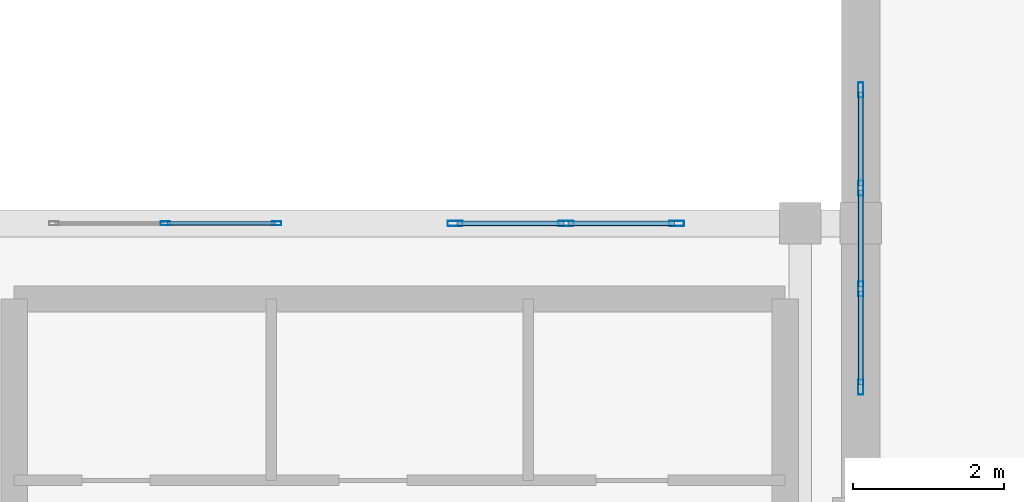
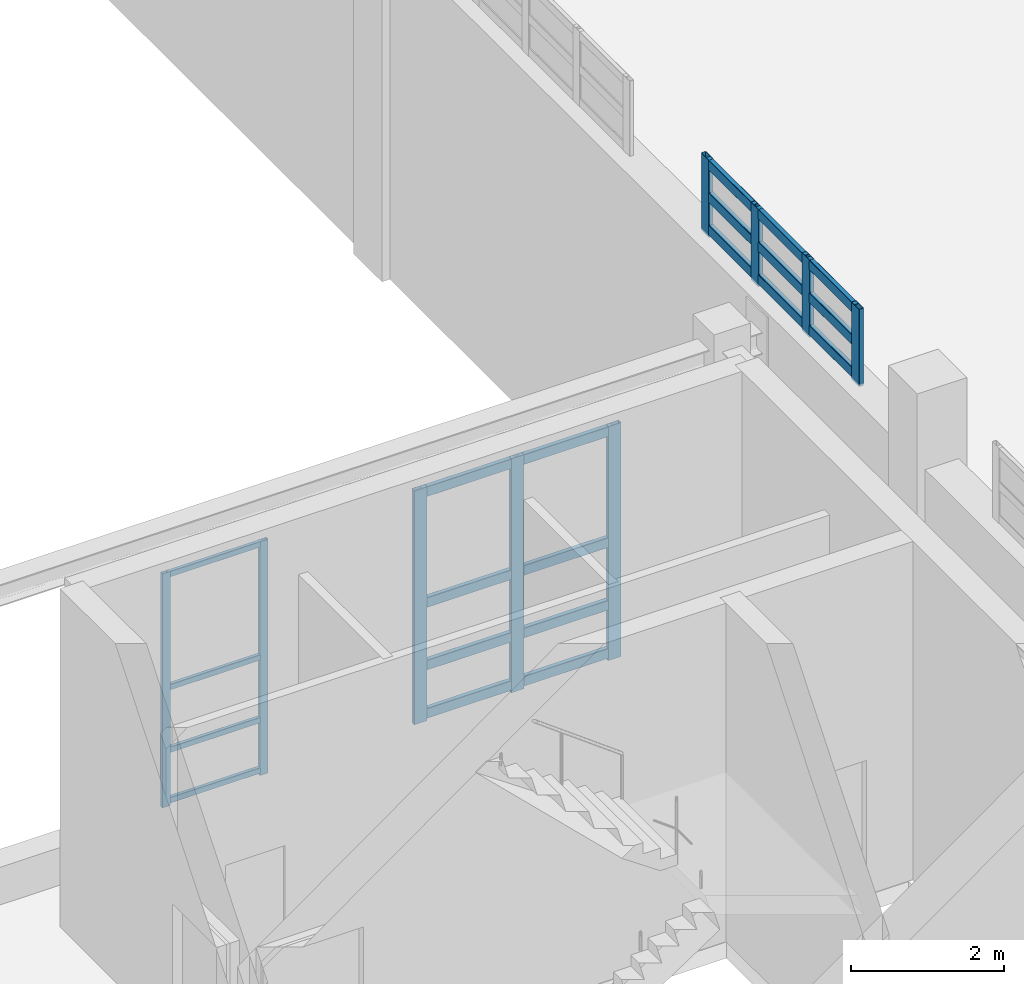
# One storey, part 134 of 197: 30 members, 3 elements without a shape of their own.
"""IFC4 building model written with IfcOpenShell, lengths in metres."""

from ifc_helpers import new_model, si_unit, derived_unit, direction, frame, origin, origin_2d, place, context, subcontext, project, spatial, hollow_rectangle, extrude, material, layer, layer_set, material_profile, profile_set, type_object, element, aggregate, save


model = new_model("IFC4")

# Units and contexts
model_context = context("Model", 3, precision=1e-05, world=origin(), true_north=direction((0.0, 1.0)))
body_context = subcontext(model_context, "Body", "Model", "MODEL_VIEW")
ifc_project = project(units=[si_unit("LENGTHUNIT", "METRE"), si_unit("AREAUNIT", "SQUARE_METRE"), si_unit("VOLUMEUNIT", "CUBIC_METRE"), si_unit("PLANEANGLEUNIT", "RADIAN"), si_unit("MASSUNIT", "GRAM", prefix="KILO"), derived_unit("THERMALTRANSMITTANCEUNIT", [(si_unit("POWERUNIT", "WATT"), 1), (si_unit("LENGTHUNIT", "METRE"), -2), (si_unit("THERMODYNAMICTEMPERATUREUNIT", "KELVIN"), -1)])], contexts=[model_context])

# Site, building, storey
site_placement = place(None, origin())
site = spatial("IfcSite", under=ifc_project, at=site_placement, CompositionType="ELEMENT")
building_placement = place(site_placement, origin())
building = spatial("IfcBuilding", under=site, at=building_placement, Name="Almenara Railside Exhibition Hall", CompositionType="ELEMENT")
storey_placement = place(building_placement, frame((0.0, 0.0, 5.39990234375)))
storey = spatial("IfcBuildingStorey", under=building, at=storey_placement, Name="L01", CompositionType="ELEMENT", Elevation=5.39990234375)

# Curtain wall, members
ifc_material_1 = material(Name="Bronze-anodised aluminium and low-E double glazing", Category="aluminium")
ifc_layer_1 = layer(ifc_material_1, 0.179931640625, Name="Bronze-anodised aluminium and low-E double glazing")
ifc_layer_set_1 = layer_set([ifc_layer_1], Name="Bronze-anodised aluminium and low-E double glazing")
curtain_wall_type_1 = type_object("IfcCurtainWallType", Name="Courtyard North Galeria Curtain Wall 3000x3700", PredefinedType="NOTDEFINED", material=ifc_layer_set_1)
curtain_wall_1_placement = place(storey_placement, origin())
curtain_wall_1 = element("IfcCurtainWall", 1, at=curtain_wall_1_placement, inside=storey, type_object=curtain_wall_type_1, Name="Curtain wall CW-CY1-142", PredefinedType="NOTDEFINED")
ifc_material_2 = material(Name="Bronze-anodised aluminium", Category="aluminium")
ifc_material_profile_1 = material_profile(ifc_material_2, hollow_rectangle(XDim=0.054931640625, YDim=0.125, WallThickness=0.0029296875, InnerFilletRadius=0.0029296875, OuterFilletRadius=0.006103515625, at=origin_2d()), Name="ALU-MUL 55x125x3")
ifc_profile_set_1 = profile_set([ifc_material_profile_1], Name="Bronze-anodised aluminium")
member_type_1 = type_object("IfcMemberType", Name="Curtain Wall Mullion 55x125x3", PredefinedType="MULLION", material=ifc_profile_set_1)
member_1_placement = place(storey_placement, frame((128.800048828125, 108.0, 0.565185546875), z_axis=(0.0, 0.0, 1.0), x_axis=(0.0, 1.0, 0.0)))
member_1 = element("IfcMember", 2, at=member_1_placement, type_object=member_type_1, Name="CW-CY1-142 mullion 2", PredefinedType="MULLION", context=body_context, shape_type="SweptSolid", body=[
    extrude(hollow_rectangle(XDim=0.054931640625, YDim=0.125, WallThickness=0.0029296875, InnerFilletRadius=0.0029296875, OuterFilletRadius=0.006103515625, at=origin_2d()), origin(), (0.0, 0.0, 1.0), 3.73486328125),
])
member_2_placement = place(storey_placement, frame((130.2724609375, 108.0, 0.565185546875), z_axis=(0.0, 0.0, 1.0), x_axis=(0.0, 1.0, 0.0)))
member_2 = element("IfcMember", 3, at=member_2_placement, type_object=member_type_1, Name="CW-CY1-142 mullion 3", PredefinedType="MULLION", context=body_context, shape_type="SweptSolid", body=[
    extrude(hollow_rectangle(XDim=0.054931640625, YDim=0.125, WallThickness=0.0029296875, InnerFilletRadius=0.0029296875, OuterFilletRadius=0.006103515625, at=origin_2d()), origin(), (0.0, 0.0, 1.0), 3.73486328125),
])

ifc_layer_2 = layer(ifc_material_1, 0.179931640625, Name="Bronze-anodised aluminium and low-E double glazing")
ifc_layer_set_2 = layer_set([ifc_layer_2], Name="Bronze-anodised aluminium and low-E double glazing")
curtain_wall_type_2 = type_object("IfcCurtainWallType", Name="East Hall Clerestory Curtain Wall 4000x2100", PredefinedType="NOTDEFINED", material=ifc_layer_set_2)
curtain_wall_2_placement = place(storey_placement, origin())
curtain_wall_2 = element("IfcCurtainWall", 4, at=curtain_wall_2_placement, inside=storey, type_object=curtain_wall_type_2, Name="Curtain wall CW-CL4-071", PredefinedType="NOTDEFINED")
ifc_material_profile_2 = material_profile(ifc_material_2, hollow_rectangle(XDim=0.070068359375, YDim=0.199951171875, WallThickness=0.00439453125, InnerFilletRadius=0.00439453125, OuterFilletRadius=0.009033203125, at=origin_2d()), Name="ALU-MUL 70x200x4.5")
ifc_profile_set_2 = profile_set([ifc_material_profile_2], Name="Bronze-anodised aluminium")
member_type_2 = type_object("IfcMemberType", Name="Curtain Wall Mullion 70x200x4.5", PredefinedType="MULLION", material=ifc_profile_set_2)
member_3_placement = place(storey_placement, frame((138.0, 105.8349609375, 5.4150390625), z_axis=(0.0, 0.0, 1.0), x_axis=(-1.0, 0.0, 0.0)))
member_3 = element("IfcMember", 5, at=member_3_placement, type_object=member_type_2, Name="CW-CL4-071 mullion 1", PredefinedType="MULLION", context=body_context, shape_type="SweptSolid", body=[
    extrude(hollow_rectangle(XDim=0.070068359375, YDim=0.199951171875, WallThickness=0.00439453125, InnerFilletRadius=0.00439453125, OuterFilletRadius=0.009033203125, at=origin_2d()), origin(), (0.0, 0.0, 1.0), 1.235107421875),
])
member_4_placement = place(storey_placement, frame((138.0, 107.13330078125, 5.4150390625), z_axis=(0.0, 0.0, 1.0), x_axis=(-1.0, 0.0, 0.0)))
member_4 = element("IfcMember", 6, at=member_4_placement, type_object=member_type_2, Name="CW-CL4-071 mullion 2", PredefinedType="MULLION", context=body_context, shape_type="SweptSolid", body=[
    extrude(hollow_rectangle(XDim=0.070068359375, YDim=0.199951171875, WallThickness=0.00439453125, InnerFilletRadius=0.00439453125, OuterFilletRadius=0.009033203125, at=origin_2d()), origin(), (0.0, 0.0, 1.0), 1.235107421875),
])
member_5_placement = place(storey_placement, frame((138.0, 108.466552734375, 5.4150390625), z_axis=(0.0, 0.0, 1.0), x_axis=(-1.0, 0.0, 0.0)))
member_5 = element("IfcMember", 7, at=member_5_placement, type_object=member_type_2, Name="CW-CL4-071 mullion 3", PredefinedType="MULLION", context=body_context, shape_type="SweptSolid", body=[
    extrude(hollow_rectangle(XDim=0.070068359375, YDim=0.199951171875, WallThickness=0.00439453125, InnerFilletRadius=0.00439453125, OuterFilletRadius=0.009033203125, at=origin_2d()), origin(), (0.0, 0.0, 1.0), 1.235107421875),
])
member_6_placement = place(storey_placement, frame((138.0, 109.764892578125, 5.4150390625), z_axis=(0.0, 0.0, 1.0), x_axis=(-1.0, 0.0, 0.0)))
member_6 = element("IfcMember", 8, at=member_6_placement, type_object=member_type_2, Name="CW-CL4-071 mullion 4", PredefinedType="MULLION", context=body_context, shape_type="SweptSolid", body=[
    extrude(hollow_rectangle(XDim=0.070068359375, YDim=0.199951171875, WallThickness=0.00439453125, InnerFilletRadius=0.00439453125, OuterFilletRadius=0.009033203125, at=origin_2d()), origin(), (0.0, 0.0, 1.0), 1.235107421875),
])

curtain_wall_3_placement = place(storey_placement, origin())
curtain_wall_3 = element("IfcCurtainWall", 9, at=curtain_wall_3_placement, inside=storey, type_object=curtain_wall_type_1, Name="Curtain wall CW-CY1-143", PredefinedType="NOTDEFINED")
member_7_placement = place(storey_placement, frame((132.635009765625, 108.0, 0.565185546875), z_axis=(0.0, 0.0, 1.0), x_axis=(0.0, 1.0, 0.0)))
member_7 = element("IfcMember", 10, at=member_7_placement, type_object=member_type_2, Name="CW-CY1-143 mullion 1", PredefinedType="MULLION", context=body_context, shape_type="SweptSolid", body=[
    extrude(hollow_rectangle(XDim=0.070068359375, YDim=0.199951171875, WallThickness=0.00439453125, InnerFilletRadius=0.00439453125, OuterFilletRadius=0.009033203125, at=origin_2d()), origin(), (0.0, 0.0, 1.0), 3.73486328125),
])
member_8_placement = place(storey_placement, frame((134.10009765625, 108.0, 0.565185546875), z_axis=(0.0, 0.0, 1.0), x_axis=(0.0, 1.0, 0.0)))
member_8 = element("IfcMember", 11, at=member_8_placement, type_object=member_type_2, Name="CW-CY1-143 mullion 2", PredefinedType="MULLION", context=body_context, shape_type="SweptSolid", body=[
    extrude(hollow_rectangle(XDim=0.070068359375, YDim=0.199951171875, WallThickness=0.00439453125, InnerFilletRadius=0.00439453125, OuterFilletRadius=0.009033203125, at=origin_2d()), origin(), (0.0, 0.0, 1.0), 3.73486328125),
])
member_9_placement = place(storey_placement, frame((135.56494140625, 108.0, 0.565185546875), z_axis=(0.0, 0.0, 1.0), x_axis=(0.0, 1.0, 0.0)))
member_9 = element("IfcMember", 12, at=member_9_placement, type_object=member_type_2, Name="CW-CY1-143 mullion 3", PredefinedType="MULLION", context=body_context, shape_type="SweptSolid", body=[
    extrude(hollow_rectangle(XDim=0.070068359375, YDim=0.199951171875, WallThickness=0.00439453125, InnerFilletRadius=0.00439453125, OuterFilletRadius=0.009033203125, at=origin_2d()), origin(), (0.0, 0.0, 1.0), 3.73486328125),
])

# Member
ifc_material_profile_3 = material_profile(ifc_material_2, hollow_rectangle(XDim=0.054931640625, YDim=0.090087890625, WallThickness=0.0029296875, InnerFilletRadius=0.0029296875, OuterFilletRadius=0.006103515625, at=origin_2d()), Name="ALU-TRN 55x90x3")
ifc_profile_set_3 = profile_set([ifc_material_profile_3], Name="Bronze-anodised aluminium")
member_type_3 = type_object("IfcMemberType", Name="Curtain Wall Transom 55x90x3", PredefinedType="USERDEFINED", material=ifc_profile_set_3)
member_10_placement = place(storey_placement, frame((128.819580078125, 108.0, 0.64501953125), z_axis=(1.0, 0.0, 0.0), x_axis=(0.0, 1.0, 0.0)))
member_10 = element("IfcMember", 13, at=member_10_placement, type_object=member_type_3, Name="CW-CY1-142 transom 2.1", ObjectType="TRANSOM", PredefinedType="USERDEFINED", context=body_context, shape_type="SweptSolid", body=[
    extrude(hollow_rectangle(XDim=0.054931640625, YDim=0.090087890625, WallThickness=0.0029296875, InnerFilletRadius=0.0029296875, OuterFilletRadius=0.006103515625, at=origin_2d()), origin(), (0.0, 0.0, 1.0), 1.433349609375),
])

member_11_placement = place(storey_placement, frame((128.819580078125, 108.0, 1.4501953125), z_axis=(1.0, 0.0, 0.0), x_axis=(0.0, 1.0, 0.0)))
member_11 = element("IfcMember", 14, at=member_11_placement, type_object=member_type_3, Name="CW-CY1-142 transom 2.2", ObjectType="TRANSOM", PredefinedType="USERDEFINED", context=body_context, shape_type="SweptSolid", body=[
    extrude(hollow_rectangle(XDim=0.054931640625, YDim=0.090087890625, WallThickness=0.0029296875, InnerFilletRadius=0.0029296875, OuterFilletRadius=0.006103515625, at=origin_2d()), origin(), (0.0, 0.0, 1.0), 1.433349609375),
])

member_12_placement = place(storey_placement, frame((128.819580078125, 108.0, 2.4501953125), z_axis=(1.0, 0.0, 0.0), x_axis=(0.0, 1.0, 0.0)))
member_12 = element("IfcMember", 15, at=member_12_placement, type_object=member_type_3, Name="CW-CY1-142 transom 2.3", ObjectType="TRANSOM", PredefinedType="USERDEFINED", context=body_context, shape_type="SweptSolid", body=[
    extrude(hollow_rectangle(XDim=0.054931640625, YDim=0.090087890625, WallThickness=0.0029296875, InnerFilletRadius=0.0029296875, OuterFilletRadius=0.006103515625, at=origin_2d()), origin(), (0.0, 0.0, 1.0), 1.433349609375),
])

member_13_placement = place(storey_placement, frame((128.819580078125, 108.0, 4.255126953125), z_axis=(1.0, 0.0, 0.0), x_axis=(0.0, 1.0, 0.0)))
member_13 = element("IfcMember", 16, at=member_13_placement, type_object=member_type_3, Name="CW-CY1-142 transom 2.4", ObjectType="TRANSOM", PredefinedType="USERDEFINED", context=body_context, shape_type="SweptSolid", body=[
    extrude(hollow_rectangle(XDim=0.054931640625, YDim=0.090087890625, WallThickness=0.0029296875, InnerFilletRadius=0.0029296875, OuterFilletRadius=0.006103515625, at=origin_2d()), origin(), (0.0, 0.0, 1.0), 1.433349609375),
])

aggregate(curtain_wall_1, [member_1, member_2, member_10, member_11, member_12, member_13])

ifc_material_profile_4 = material_profile(ifc_material_2, hollow_rectangle(XDim=0.070068359375, YDim=0.159912109375, WallThickness=0.00390625, InnerFilletRadius=0.00390625, OuterFilletRadius=0.008056640625, at=origin_2d()), Name="ALU-TRN 70x160x4")
ifc_profile_set_4 = profile_set([ifc_material_profile_4], Name="Bronze-anodised aluminium")
member_type_4 = type_object("IfcMemberType", Name="Curtain Wall Transom 70x160x4", PredefinedType="USERDEFINED", material=ifc_profile_set_4)
member_14_placement = place(storey_placement, frame((138.0, 105.862060546875, 5.530029296875), z_axis=(0.0, 1.0, 0.0), x_axis=(-1.0, 0.0, 0.0)))
member_14 = element("IfcMember", 17, at=member_14_placement, type_object=member_type_4, Name="CW-CL4-071 transom 1.1", ObjectType="TRANSOM", PredefinedType="USERDEFINED", context=body_context, shape_type="SweptSolid", body=[
    extrude(hollow_rectangle(XDim=0.070068359375, YDim=0.159912109375, WallThickness=0.00390625, InnerFilletRadius=0.00390625, OuterFilletRadius=0.008056640625, at=origin_2d()), origin(), (0.0, 0.0, 1.0), 1.244384765625),
])

member_15_placement = place(storey_placement, frame((138.0, 105.862060546875, 6.050048828125), z_axis=(0.0, 1.0, 0.0), x_axis=(-1.0, 0.0, 0.0)))
member_15 = element("IfcMember", 18, at=member_15_placement, type_object=member_type_4, Name="CW-CL4-071 transom 1.2", ObjectType="TRANSOM", PredefinedType="USERDEFINED", context=body_context, shape_type="SweptSolid", body=[
    extrude(hollow_rectangle(XDim=0.070068359375, YDim=0.159912109375, WallThickness=0.00390625, InnerFilletRadius=0.00390625, OuterFilletRadius=0.008056640625, at=origin_2d()), origin(), (0.0, 0.0, 1.0), 1.244384765625),
])

member_16_placement = place(storey_placement, frame((138.0, 105.862060546875, 6.570068359375), z_axis=(0.0, 1.0, 0.0), x_axis=(-1.0, 0.0, 0.0)))
member_16 = element("IfcMember", 19, at=member_16_placement, type_object=member_type_4, Name="CW-CL4-071 transom 1.3", ObjectType="TRANSOM", PredefinedType="USERDEFINED", context=body_context, shape_type="SweptSolid", body=[
    extrude(hollow_rectangle(XDim=0.070068359375, YDim=0.159912109375, WallThickness=0.00390625, InnerFilletRadius=0.00390625, OuterFilletRadius=0.008056640625, at=origin_2d()), origin(), (0.0, 0.0, 1.0), 1.244384765625),
])

member_17_placement = place(storey_placement, frame((138.0, 107.160400390625, 5.530029296875), z_axis=(0.0, 1.0, 0.0), x_axis=(-1.0, 0.0, 0.0)))
member_17 = element("IfcMember", 20, at=member_17_placement, type_object=member_type_4, Name="CW-CL4-071 transom 2.1", ObjectType="TRANSOM", PredefinedType="USERDEFINED", context=body_context, shape_type="SweptSolid", body=[
    extrude(hollow_rectangle(XDim=0.070068359375, YDim=0.159912109375, WallThickness=0.00390625, InnerFilletRadius=0.00390625, OuterFilletRadius=0.008056640625, at=origin_2d()), origin(), (0.0, 0.0, 1.0), 1.279296875),
])

member_18_placement = place(storey_placement, frame((138.0, 107.160400390625, 6.050048828125), z_axis=(0.0, 1.0, 0.0), x_axis=(-1.0, 0.0, 0.0)))
member_18 = element("IfcMember", 21, at=member_18_placement, type_object=member_type_4, Name="CW-CL4-071 transom 2.2", ObjectType="TRANSOM", PredefinedType="USERDEFINED", context=body_context, shape_type="SweptSolid", body=[
    extrude(hollow_rectangle(XDim=0.070068359375, YDim=0.159912109375, WallThickness=0.00390625, InnerFilletRadius=0.00390625, OuterFilletRadius=0.008056640625, at=origin_2d()), origin(), (0.0, 0.0, 1.0), 1.279296875),
])

member_19_placement = place(storey_placement, frame((138.0, 107.160400390625, 6.570068359375), z_axis=(0.0, 1.0, 0.0), x_axis=(-1.0, 0.0, 0.0)))
member_19 = element("IfcMember", 22, at=member_19_placement, type_object=member_type_4, Name="CW-CL4-071 transom 2.3", ObjectType="TRANSOM", PredefinedType="USERDEFINED", context=body_context, shape_type="SweptSolid", body=[
    extrude(hollow_rectangle(XDim=0.070068359375, YDim=0.159912109375, WallThickness=0.00390625, InnerFilletRadius=0.00390625, OuterFilletRadius=0.008056640625, at=origin_2d()), origin(), (0.0, 0.0, 1.0), 1.279296875),
])

member_20_placement = place(storey_placement, frame((138.0, 108.49365234375, 5.530029296875), z_axis=(0.0, 1.0, 0.0), x_axis=(-1.0, 0.0, 0.0)))
member_20 = element("IfcMember", 23, at=member_20_placement, type_object=member_type_4, Name="CW-CL4-071 transom 3.1", ObjectType="TRANSOM", PredefinedType="USERDEFINED", context=body_context, shape_type="SweptSolid", body=[
    extrude(hollow_rectangle(XDim=0.070068359375, YDim=0.159912109375, WallThickness=0.00390625, InnerFilletRadius=0.00390625, OuterFilletRadius=0.008056640625, at=origin_2d()), origin(), (0.0, 0.0, 1.0), 1.244384765625),
])

member_21_placement = place(storey_placement, frame((138.0, 108.49365234375, 6.050048828125), z_axis=(0.0, 1.0, 0.0), x_axis=(-1.0, 0.0, 0.0)))
member_21 = element("IfcMember", 24, at=member_21_placement, type_object=member_type_4, Name="CW-CL4-071 transom 3.2", ObjectType="TRANSOM", PredefinedType="USERDEFINED", context=body_context, shape_type="SweptSolid", body=[
    extrude(hollow_rectangle(XDim=0.070068359375, YDim=0.159912109375, WallThickness=0.00390625, InnerFilletRadius=0.00390625, OuterFilletRadius=0.008056640625, at=origin_2d()), origin(), (0.0, 0.0, 1.0), 1.244384765625),
])

member_22_placement = place(storey_placement, frame((138.0, 108.49365234375, 6.570068359375), z_axis=(0.0, 1.0, 0.0), x_axis=(-1.0, 0.0, 0.0)))
member_22 = element("IfcMember", 25, at=member_22_placement, type_object=member_type_4, Name="CW-CL4-071 transom 3.3", ObjectType="TRANSOM", PredefinedType="USERDEFINED", context=body_context, shape_type="SweptSolid", body=[
    extrude(hollow_rectangle(XDim=0.070068359375, YDim=0.159912109375, WallThickness=0.00390625, InnerFilletRadius=0.00390625, OuterFilletRadius=0.008056640625, at=origin_2d()), origin(), (0.0, 0.0, 1.0), 1.244384765625),
])

aggregate(curtain_wall_2, [member_3, member_4, member_5, member_6, member_14, member_15, member_16, member_17, member_18, member_19, member_20, member_21, member_22])

member_23_placement = place(storey_placement, frame((132.662109375, 108.0, 0.68017578125), z_axis=(1.0, 0.0, 0.0), x_axis=(0.0, 1.0, 0.0)))
member_23 = element("IfcMember", 26, at=member_23_placement, type_object=member_type_4, Name="CW-CY1-143 transom 1.1", ObjectType="TRANSOM", PredefinedType="USERDEFINED", context=body_context, shape_type="SweptSolid", body=[
    extrude(hollow_rectangle(XDim=0.070068359375, YDim=0.159912109375, WallThickness=0.00390625, InnerFilletRadius=0.00390625, OuterFilletRadius=0.008056640625, at=origin_2d()), origin(), (0.0, 0.0, 1.0), 1.410888671875),
])

member_24_placement = place(storey_placement, frame((132.662109375, 108.0, 1.4501953125), z_axis=(1.0, 0.0, 0.0), x_axis=(0.0, 1.0, 0.0)))
member_24 = element("IfcMember", 27, at=member_24_placement, type_object=member_type_4, Name="CW-CY1-143 transom 1.2", ObjectType="TRANSOM", PredefinedType="USERDEFINED", context=body_context, shape_type="SweptSolid", body=[
    extrude(hollow_rectangle(XDim=0.070068359375, YDim=0.159912109375, WallThickness=0.00390625, InnerFilletRadius=0.00390625, OuterFilletRadius=0.008056640625, at=origin_2d()), origin(), (0.0, 0.0, 1.0), 1.410888671875),
])

member_25_placement = place(storey_placement, frame((132.662109375, 108.0, 2.4501953125), z_axis=(1.0, 0.0, 0.0), x_axis=(0.0, 1.0, 0.0)))
member_25 = element("IfcMember", 28, at=member_25_placement, type_object=member_type_4, Name="CW-CY1-143 transom 1.3", ObjectType="TRANSOM", PredefinedType="USERDEFINED", context=body_context, shape_type="SweptSolid", body=[
    extrude(hollow_rectangle(XDim=0.070068359375, YDim=0.159912109375, WallThickness=0.00390625, InnerFilletRadius=0.00390625, OuterFilletRadius=0.008056640625, at=origin_2d()), origin(), (0.0, 0.0, 1.0), 1.410888671875),
])

member_26_placement = place(storey_placement, frame((132.662109375, 108.0, 4.22021484375), z_axis=(1.0, 0.0, 0.0), x_axis=(0.0, 1.0, 0.0)))
member_26 = element("IfcMember", 29, at=member_26_placement, type_object=member_type_4, Name="CW-CY1-143 transom 1.4", ObjectType="TRANSOM", PredefinedType="USERDEFINED", context=body_context, shape_type="SweptSolid", body=[
    extrude(hollow_rectangle(XDim=0.070068359375, YDim=0.159912109375, WallThickness=0.00390625, InnerFilletRadius=0.00390625, OuterFilletRadius=0.008056640625, at=origin_2d()), origin(), (0.0, 0.0, 1.0), 1.410888671875),
])

member_27_placement = place(storey_placement, frame((134.126953125, 108.0, 0.68017578125), z_axis=(1.0, 0.0, 0.0), x_axis=(0.0, 1.0, 0.0)))
member_27 = element("IfcMember", 30, at=member_27_placement, type_object=member_type_4, Name="CW-CY1-143 transom 2.1", ObjectType="TRANSOM", PredefinedType="USERDEFINED", context=body_context, shape_type="SweptSolid", body=[
    extrude(hollow_rectangle(XDim=0.070068359375, YDim=0.159912109375, WallThickness=0.00390625, InnerFilletRadius=0.00390625, OuterFilletRadius=0.008056640625, at=origin_2d()), origin(), (0.0, 0.0, 1.0), 1.4111328125),
])

member_28_placement = place(storey_placement, frame((134.126953125, 108.0, 1.4501953125), z_axis=(1.0, 0.0, 0.0), x_axis=(0.0, 1.0, 0.0)))
member_28 = element("IfcMember", 31, at=member_28_placement, type_object=member_type_4, Name="CW-CY1-143 transom 2.2", ObjectType="TRANSOM", PredefinedType="USERDEFINED", context=body_context, shape_type="SweptSolid", body=[
    extrude(hollow_rectangle(XDim=0.070068359375, YDim=0.159912109375, WallThickness=0.00390625, InnerFilletRadius=0.00390625, OuterFilletRadius=0.008056640625, at=origin_2d()), origin(), (0.0, 0.0, 1.0), 1.4111328125),
])

member_29_placement = place(storey_placement, frame((134.126953125, 108.0, 2.4501953125), z_axis=(1.0, 0.0, 0.0), x_axis=(0.0, 1.0, 0.0)))
member_29 = element("IfcMember", 32, at=member_29_placement, type_object=member_type_4, Name="CW-CY1-143 transom 2.3", ObjectType="TRANSOM", PredefinedType="USERDEFINED", context=body_context, shape_type="SweptSolid", body=[
    extrude(hollow_rectangle(XDim=0.070068359375, YDim=0.159912109375, WallThickness=0.00390625, InnerFilletRadius=0.00390625, OuterFilletRadius=0.008056640625, at=origin_2d()), origin(), (0.0, 0.0, 1.0), 1.4111328125),
])

member_30_placement = place(storey_placement, frame((134.126953125, 108.0, 4.22021484375), z_axis=(1.0, 0.0, 0.0), x_axis=(0.0, 1.0, 0.0)))
member_30 = element("IfcMember", 33, at=member_30_placement, type_object=member_type_4, Name="CW-CY1-143 transom 2.4", ObjectType="TRANSOM", PredefinedType="USERDEFINED", context=body_context, shape_type="SweptSolid", body=[
    extrude(hollow_rectangle(XDim=0.070068359375, YDim=0.159912109375, WallThickness=0.00390625, InnerFilletRadius=0.00390625, OuterFilletRadius=0.008056640625, at=origin_2d()), origin(), (0.0, 0.0, 1.0), 1.4111328125),
])

aggregate(curtain_wall_3, [member_7, member_8, member_9, member_23, member_24, member_25, member_26, member_27, member_28, member_29, member_30])

save(model, "model.ifc")
